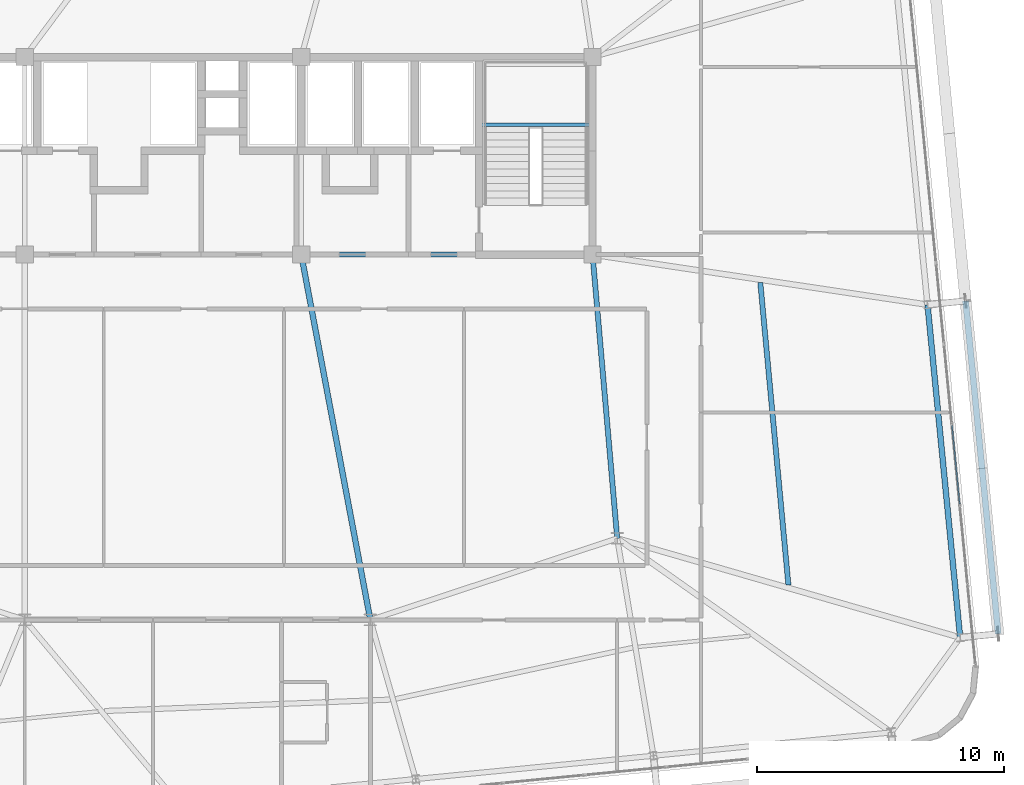
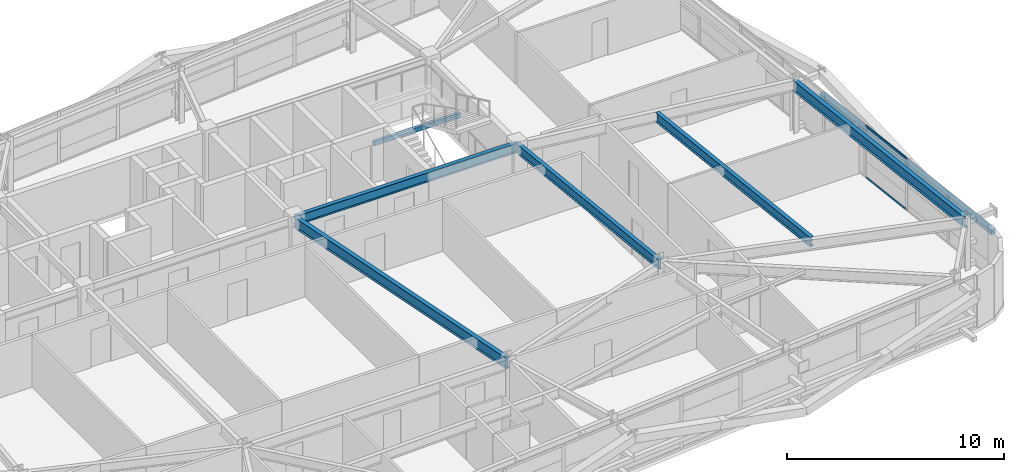
# One storey, part 23 of 52: 6 beams, 3 members, 1 element without a shape of its own.
"""IFC4 building model written with IfcOpenShell, lengths in metres."""

from ifc_helpers import new_model, si_unit, direction, frame, origin, origin_2d, place, context, subcontext, project, spatial, hollow_rectangle, i_section, extrude, source, transform, mapped, material, layer, layer_set, material_profile, profile_set, type_object, element, aggregate, save


model = new_model("IFC4")

# Units and contexts
model_context = context("Model", 3, precision=1e-05, world=origin(), true_north=direction((0.0, 1.0)))
body_context = subcontext(model_context, "Body", "Model", "MODEL_VIEW")
ifc_project = project(units=[si_unit("LENGTHUNIT", "METRE"), si_unit("AREAUNIT", "SQUARE_METRE"), si_unit("VOLUMEUNIT", "CUBIC_METRE"), si_unit("PLANEANGLEUNIT", "RADIAN"), si_unit("MASSUNIT", "GRAM", prefix="KILO")], contexts=[model_context])

# Site, building, storey
site_placement = place(None, origin())
site = spatial("IfcSite", under=ifc_project, at=site_placement, CompositionType="ELEMENT")
building_placement = place(site_placement, origin())
building = spatial("IfcBuilding", under=site, at=building_placement, Name="Taldren Reach Tower", CompositionType="ELEMENT")
storey_placement = place(building_placement, frame((0.0, 0.0, 93.449951171875)))
storey = spatial("IfcBuildingStorey", under=building, at=storey_placement, Name="L28", CompositionType="ELEMENT", Elevation=93.449951171875)

# Beams
ifc_material_1 = material(Name="Steel Gr 350 (350PLUS)", Category="steel")
ifc_material_profile_1 = material_profile(ifc_material_1, i_section(OverallWidth=0.208984375, OverallDepth=0.532958984375, WebThickness=0.01025390625, FlangeThickness=0.015625, at=origin_2d()), Name="530UB92.4")
ifc_profile_set_1 = profile_set([ifc_material_profile_1], Name="Steel Gr 350 (350PLUS)")
beam_type_1 = type_object("IfcBeamType", Name="BM-UB530A", PredefinedType="BEAM", material=ifc_profile_set_1)
shared_shape_1 = source(origin(), body_context, "Body", "SweptSolid", [
    extrude(i_section(OverallWidth=0.208984375, OverallDepth=0.532958984375, WebThickness=0.01025390625, FlangeThickness=0.015625, at=origin_2d()), origin(), (0.0, 0.0, 1.0), 11.800048828125),
])
beam_1_placement = place(storey_placement, frame((39.199951171875, 24.0, 2.66357421875), z_axis=(1.0, 0.0, 0.0), x_axis=(0.0, 1.0, 0.0)))
element("IfcBeam", 1, at=beam_1_placement, inside=storey, type_object=beam_type_1, Name="Core-spine girder L28-SP03", PredefinedType="BEAM", context=body_context, shape_type="MappedRepresentation", body=[
    mapped(shared_shape_1, transform((0.0, 0.0, 0.0), scale=1.0)),
])
shared_shape_2 = source(origin(), body_context, "Body", "SweptSolid", [
    extrude(i_section(OverallWidth=0.208984375, OverallDepth=0.532958984375, WebThickness=0.01025390625, FlangeThickness=0.015625, at=origin_2d()), origin(), (0.0, 0.0, 1.0), 11.54345703125),
])
beam_2_placement = place(storey_placement, frame((52.0, 12.5, 2.66357421875), z_axis=(-0.086629616365, 0.996240588196, 0.0), x_axis=(-0.996240588196, -0.086629616365, 0.0)))
element("IfcBeam", 2, at=beam_2_placement, inside=storey, type_object=beam_type_1, Name="Core-spine girder L28-SP13", PredefinedType="BEAM", context=body_context, shape_type="MappedRepresentation", body=[
    mapped(shared_shape_2, transform((0.0, 0.0, 0.0), scale=1.0)),
])
ifc_material_profile_2 = material_profile(ifc_material_1, i_section(OverallWidth=0.22802734375, OverallDepth=0.60205078125, WebThickness=0.010498046875, FlangeThickness=0.014892578125, at=origin_2d()), Name="610UB101")
ifc_profile_set_2 = profile_set([ifc_material_profile_2], Name="Steel Gr 350 (350PLUS)")
beam_type_2 = type_object("IfcBeamType", Name="BM-UB610B", PredefinedType="BEAM", material=ifc_profile_set_2)
shared_shape_3 = source(origin(), body_context, "Body", "SweptSolid", [
    extrude(i_section(OverallWidth=0.22802734375, OverallDepth=0.60205078125, WebThickness=0.010498046875, FlangeThickness=0.014892578125, at=origin_2d()), origin(), (0.0, 0.0, 1.0), 15.0625),
])
beam_3_placement = place(storey_placement, frame((39.199951171875, 24.0, 2.629150390625), z_axis=(0.185894205668, -0.982569765614, 0.0), x_axis=(0.982569765614, 0.185894205668, 0.0)))
element("IfcBeam", 3, at=beam_3_placement, inside=storey, type_object=beam_type_2, Name="Core-spine girder L28-SP15", PredefinedType="BEAM", context=body_context, shape_type="MappedRepresentation", body=[
    mapped(shared_shape_3, transform((0.0, 0.0, 0.0), scale=1.0)),
])
shared_shape_4 = source(origin(), body_context, "Body", "SweptSolid", [
    extrude(i_section(OverallWidth=0.22802734375, OverallDepth=0.60205078125, WebThickness=0.010498046875, FlangeThickness=0.014892578125, at=origin_2d()), origin(), (0.0, 0.0, 1.0), 13.550048828125),
])
beam_4_placement = place(storey_placement, frame((65.8916015625, 8.483642578125, 2.629150390625), z_axis=(-0.097566175139, 0.995229039703, 0.0), x_axis=(-0.995229039703, -0.097566175139, 0.0)))
element("IfcBeam", 4, at=beam_4_placement, inside=storey, type_object=beam_type_2, Name="Perimeter gable girder B2 E1-E2 L28", PredefinedType="BEAM", context=body_context, shape_type="MappedRepresentation", body=[
    mapped(shared_shape_4, transform((0.0, 0.0, 0.0), scale=1.0)),
])
shared_shape_5 = source(origin(), body_context, "Body", "SweptSolid", [
    extrude(i_section(OverallWidth=0.208984375, OverallDepth=0.532958984375, WebThickness=0.01025390625, FlangeThickness=0.015625, at=origin_2d()), origin(), (0.0, 0.0, 1.0), 12.306396484375),
])
beam_5_placement = place(storey_placement, frame((58.9345703125, 10.61376953125, 2.66357421875), z_axis=(-0.092546068089, 0.995708403741, 0.0), x_axis=(-0.995708403741, -0.092546068089, 0.0)))
element("IfcBeam", 5, at=beam_5_placement, inside=storey, type_object=beam_type_1, Name="Secondary floor beam B2 J7 L28", PredefinedType="BEAM", context=body_context, shape_type="MappedRepresentation", body=[
    mapped(shared_shape_5, transform((0.0, 0.0, 0.0), scale=1.0)),
])

# Member
ifc_material_2 = material(Name="Steel Gr 350 (C350L0)", Category="steel")
ifc_material_profile_3 = material_profile(ifc_material_2, hollow_rectangle(XDim=0.25, YDim=0.25, WallThickness=0.010009765625, at=origin_2d()), Name="250x250x10.0SHS")
ifc_profile_set_3 = profile_set([ifc_material_profile_3], Name="Steel Gr 350 (C350L0)")
member_type_1 = type_object("IfcMemberType", Name="MB-POST250", PredefinedType="POST", material=ifc_profile_set_3)
shared_shape_6 = source(origin(), body_context, "Body", "SweptSolid", [
    extrude(hollow_rectangle(XDim=0.25, YDim=0.25, WallThickness=0.010009765625, at=origin_2d()), origin(), (0.0, 0.0, 1.0), 13.550048828125),
])
member_1_placement = place(storey_placement, frame((67.434326171875, 8.634765625, 1.43505859375), z_axis=(-0.097584021339, 0.995227290009, 0.0), x_axis=(-0.995227290009, -0.097584021339, 0.0)))
element("IfcMember", 6, at=member_1_placement, inside=storey, type_object=member_type_1, Name="Exoskeleton mid-height ring chord B2-E1 L28", PredefinedType="POST", context=body_context, shape_type="MappedRepresentation", body=[
    mapped(shared_shape_6, transform((0.0, 0.0, 0.0), scale=1.0)),
])

# Curtain wall, members
ifc_material_3 = material(Name="Aluminium and Low-E Glass Unitised System", Category="aluminium")
ifc_layer = layer(ifc_material_3, 0.159912109375)
ifc_layer_set = layer_set([ifc_layer], Name="Aluminium and Low-E Glass Unitised System")
curtain_wall_type = type_object("IfcCurtainWallType", Name="CW-SYS-3", PredefinedType="NOTDEFINED", material=ifc_layer_set)
curtain_wall_placement = place(storey_placement, origin())
curtain_wall = element("IfcCurtainWall", 7, at=curtain_wall_placement, inside=storey, type_object=curtain_wall_type, Name="Unitised curtain wall CW-L28-E", PredefinedType="NOTDEFINED")
ifc_material_4 = material(Name="Anodised Aluminium 6063-T6", Category="aluminium")
ifc_material_profile_4 = material_profile(ifc_material_4, hollow_rectangle(XDim=0.054931640625, YDim=0.1201171875, WallThickness=0.0029296875, at=origin_2d()), Name="ALU-120x55x3RHS")
ifc_profile_set_4 = profile_set([ifc_material_profile_4], Name="Anodised Aluminium 6063-T6")
member_type_2 = type_object("IfcMemberType", Name="CW-TRN-135", PredefinedType="USERDEFINED", material=ifc_profile_set_4)
shared_shape_7 = source(origin(), body_context, "Body", "SweptSolid", [
    extrude(hollow_rectangle(XDim=0.054931640625, YDim=0.1201171875, WallThickness=0.0029296875, at=origin_2d()), origin(), (0.0, 0.0, 1.0), 3.212646484375),
])
member_2_placement = place(storey_placement, frame((65.87353515625, 13.895751953125, 0.027587890625), z_axis=(-0.097577327663, 0.995227946315, 0.0), x_axis=(-0.995227946315, -0.097577327663, 0.0)))
member_2 = element("IfcMember", 8, at=member_2_placement, type_object=member_type_2, Name="CW-3 transom 3.1", ObjectType="TRANSOM", PredefinedType="USERDEFINED", context=body_context, shape_type="MappedRepresentation", body=[
    mapped(shared_shape_7, transform((0.0, 0.0, 0.0), scale=1.0)),
])
member_3_placement = place(storey_placement, frame((65.87353515625, 13.895751953125, 2.902587890625), z_axis=(-0.097577327663, 0.995227946315, 0.0), x_axis=(-0.995227946315, -0.097577327663, 0.0)))
member_3 = element("IfcMember", 9, at=member_3_placement, type_object=member_type_2, Name="CW-3 transom 3.2", ObjectType="TRANSOM", PredefinedType="USERDEFINED", context=body_context, shape_type="MappedRepresentation", body=[
    mapped(shared_shape_7, transform((0.0, 0.0, 0.0), scale=1.0)),
])
aggregate(curtain_wall, [member_2, member_3])

# Beam
ifc_material_profile_5 = material_profile(ifc_material_2, hollow_rectangle(XDim=0.14990234375, YDim=0.25, WallThickness=0.009033203125, at=origin_2d()), Name="250x150x9.0RHS")
ifc_profile_set_5 = profile_set([ifc_material_profile_5], Name="Steel Gr 350 (C350L0)")
beam_type_3 = type_object("IfcBeamType", Name="LN-RHS250", PredefinedType="LINTEL", material=ifc_profile_set_5)
shared_shape_8 = source(origin(), body_context, "Body", "SweptSolid", [
    extrude(hollow_rectangle(XDim=0.14990234375, YDim=0.25, WallThickness=0.009033203125, at=origin_2d()), origin(), (0.0, 0.0, 1.0), 4.60009765625),
])
beam_6_placement = place(storey_placement, frame((46.39990234375, 29.2548828125, 1.27001953125), z_axis=(1.0, 0.0, 0.0), x_axis=(0.0, 1.0, 0.0)))
element("IfcBeam", 10, at=beam_6_placement, inside=storey, type_object=beam_type_3, Name="Stair half-landing support beam ST2-L28-1", PredefinedType="LINTEL", context=body_context, shape_type="MappedRepresentation", body=[
    mapped(shared_shape_8, transform((0.0, 0.0, 0.0), scale=1.0)),
])

save(model, "model.ifc")
